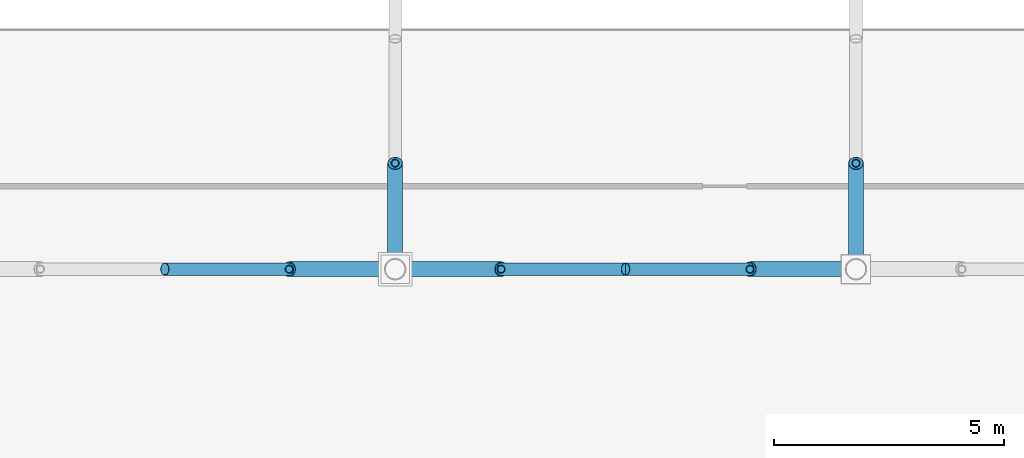
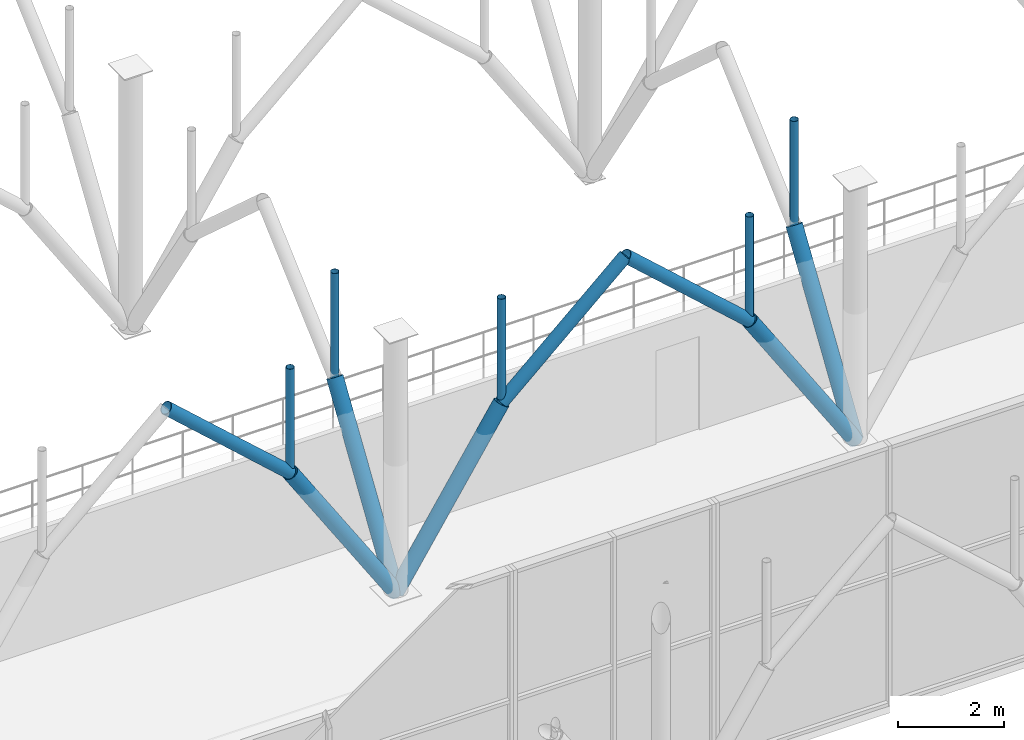
# One storey, part 38 of 109: 13 members.
"""IFC4 building model written with IfcOpenShell, lengths in metres."""

from ifc_helpers import new_model, si_unit, derived_unit, direction, frame, origin, origin_2d_with_axis, place, context, subcontext, project, spatial, hollow_circle, extrude, material, material_profile, profile_set, type_object, element, save


model = new_model("IFC4")

# Units and contexts
model_context = context("Model", 3, precision=1e-05, world=origin(), true_north=direction((0.0, 1.0)))
body_context = subcontext(model_context, "Body", "Model", "MODEL_VIEW")
ifc_project = project(units=[si_unit("LENGTHUNIT", "METRE"), si_unit("AREAUNIT", "SQUARE_METRE"), si_unit("VOLUMEUNIT", "CUBIC_METRE"), si_unit("PLANEANGLEUNIT", "RADIAN"), si_unit("MASSUNIT", "GRAM", prefix="KILO"), derived_unit("THERMALTRANSMITTANCEUNIT", [(si_unit("POWERUNIT", "WATT"), 1), (si_unit("LENGTHUNIT", "METRE"), -2), (si_unit("THERMODYNAMICTEMPERATUREUNIT", "KELVIN"), -1)])], contexts=[model_context])

# Site, building, storey
site_placement = place(None, origin())
site = spatial("IfcSite", under=ifc_project, at=site_placement, CompositionType="ELEMENT")
building_placement = place(site_placement, origin())
building = spatial("IfcBuilding", under=site, at=building_placement, Name="Cinnabar Yard Market Hall", CompositionType="ELEMENT")
storey_placement = place(building_placement, frame((0.0, 0.0, 8.39990234375)))
storey = spatial("IfcBuildingStorey", under=building, at=storey_placement, Name="L02", CompositionType="ELEMENT", Elevation=8.39990234375)

# Members
ifc_material_1 = material(Name="Spotted-gum glulam-clad steel Grade 350 (350 MPa)", Category="steel")
ifc_material_profile_1 = material_profile(ifc_material_1, hollow_circle(Radius=0.136474609375, WallThickness=0.00927734375, at=origin_2d_with_axis()), Name="273.1x9.3CHS")
ifc_profile_set_1 = profile_set([ifc_material_profile_1], Name="Spotted-gum glulam-clad steel Grade 350 (350 MPa)")
member_type_1 = type_object("IfcMemberType", Name="MB-AR01", PredefinedType="USERDEFINED", material=ifc_profile_set_1)
for number, where, z_axis, x_axis, name in (
    (1, (118.300048828125, 24.0, 3.550048828125), (0.743297488271, 0.0, 0.668961018244), (0.0, 1.0, 0.0), "Pointed Arch Rib 0064"),
    (2, (113.699951171875, 24.0, 3.550048828125), (-0.743297488271, 0.0, 0.668961018244), (0.0, -1.0, 0.0), "Pointed Arch Rib 0065"),
    (3, (123.699951171875, 24.0, 3.550048828125), (-0.743297488271, 0.0, 0.668961018244), (0.0, -1.0, 0.0), "Pointed Arch Rib 0083"),
):
    element("IfcMember", number, at=place(storey_placement, frame(where, z_axis=z_axis, x_axis=x_axis)), inside=storey, type_object=member_type_1, Name=name, ObjectType="ARCH RIB", PredefinedType="USERDEFINED", context=body_context, shape_type="SweptSolid", body=[
        extrude(hollow_circle(Radius=0.136474609375, WallThickness=0.00927734375, at=origin_2d_with_axis()), origin(), (0.0, 0.0, 1.0), 3.63232421875),
    ])
ifc_material_profile_2 = material_profile(ifc_material_1, hollow_circle(Radius=0.161865234375, WallThickness=0.009521484375, at=origin_2d_with_axis()), Name="323.9x9.5CHS")
ifc_profile_set_2 = profile_set([ifc_material_profile_2], Name="Spotted-gum glulam-clad steel Grade 350 (350 MPa)")
member_type_2 = type_object("IfcMemberType", Name="MB-ST01", PredefinedType="STRUT", material=ifc_profile_set_2)
for number, where, z_axis, x_axis, name in (
    (4, (116.0, 24.0, 0.0), (0.543744165176, 0.0, 0.839251024925), (0.0, 1.0, 0.0), "Curved Branch Arm Lower 0064"),
    (5, (116.0, 24.0, 0.0), (-0.543744165176, 0.0, 0.839251024925), (0.0, -1.0, 0.0), "Curved Branch Arm Lower 0065"),
    (6, (116.0, 24.0, 0.0), (0.0, 0.543744165176, 0.839251024925), (-1.0, 0.0, 0.0), "Curved Branch Arm Lower 0066"),
    (7, (126.0, 24.0, 0.0), (-0.543744165176, 0.0, 0.839251024925), (0.0, -1.0, 0.0), "Curved Branch Arm Lower 0083"),
    (8, (126.0, 24.0, 0.0), (0.0, 0.543744165176, 0.839251024925), (-1.0, 0.0, 0.0), "Curved Branch Arm Lower 0084"),
):
    element("IfcMember", number, at=place(storey_placement, frame(where, z_axis=z_axis, x_axis=x_axis)), inside=storey, type_object=member_type_2, Name=name, PredefinedType="STRUT", context=body_context, shape_type="SweptSolid", body=[
        extrude(hollow_circle(Radius=0.161865234375, WallThickness=0.009521484375, at=origin_2d_with_axis()), origin(), (0.0, 0.0, 1.0), 4.22998046875),
    ])
ifc_material_2 = material(Name="Cold-formed steel C350L0", Category="steel")
ifc_material_profile_3 = material_profile(ifc_material_2, hollow_circle(Radius=0.084228515625, WallThickness=0.00634765625, at=origin_2d_with_axis()), Name="168.3x6.4CHS")
ifc_profile_set_3 = profile_set([ifc_material_profile_3], Name="Cold-formed steel C350L0")
member_type_3 = type_object("IfcMemberType", Name="MB-WB01", PredefinedType="STRUT", material=ifc_profile_set_3)
for number, where, z_axis, x_axis, name in (
    (9, (118.300048828125, 24.0, 3.550048828125), (0.0, 0.0, 1.0), (1.0, 0.0, 0.0), "Arch Spandrel Post 0064"),
    (10, (113.699951171875, 24.0, 3.550048828125), (0.0, 0.0, 1.0), (1.0, 0.0, 0.0), "Arch Spandrel Post 0065"),
    (11, (116.0, 26.300048828125, 3.550048828125), (0.0, 0.0, 1.0), (1.0, 0.0, 0.0), "Arch Spandrel Post 0066"),
    (12, (123.699951171875, 24.0, 3.550048828125), (0.0, 0.0, 1.0), (1.0, 0.0, 0.0), "Arch Spandrel Post 0083"),
    (13, (126.0, 26.300048828125, 3.550048828125), (0.0, 0.0, 1.0), (1.0, 0.0, 0.0), "Arch Spandrel Post 0084"),
):
    element("IfcMember", number, at=place(storey_placement, frame(where, z_axis=z_axis, x_axis=x_axis)), inside=storey, type_object=member_type_3, Name=name, PredefinedType="STRUT", context=body_context, shape_type="SweptSolid", body=[
        extrude(hollow_circle(Radius=0.084228515625, WallThickness=0.00634765625, at=origin_2d_with_axis()), origin(), (0.0, 0.0, 1.0), 2.429931640625),
    ])

save(model, "model.ifc")
